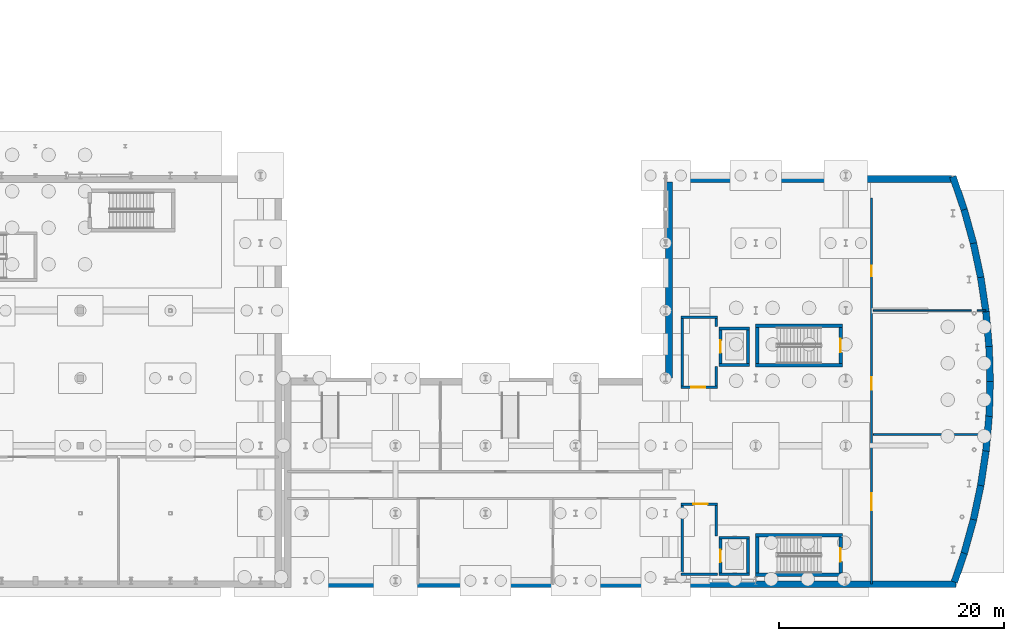
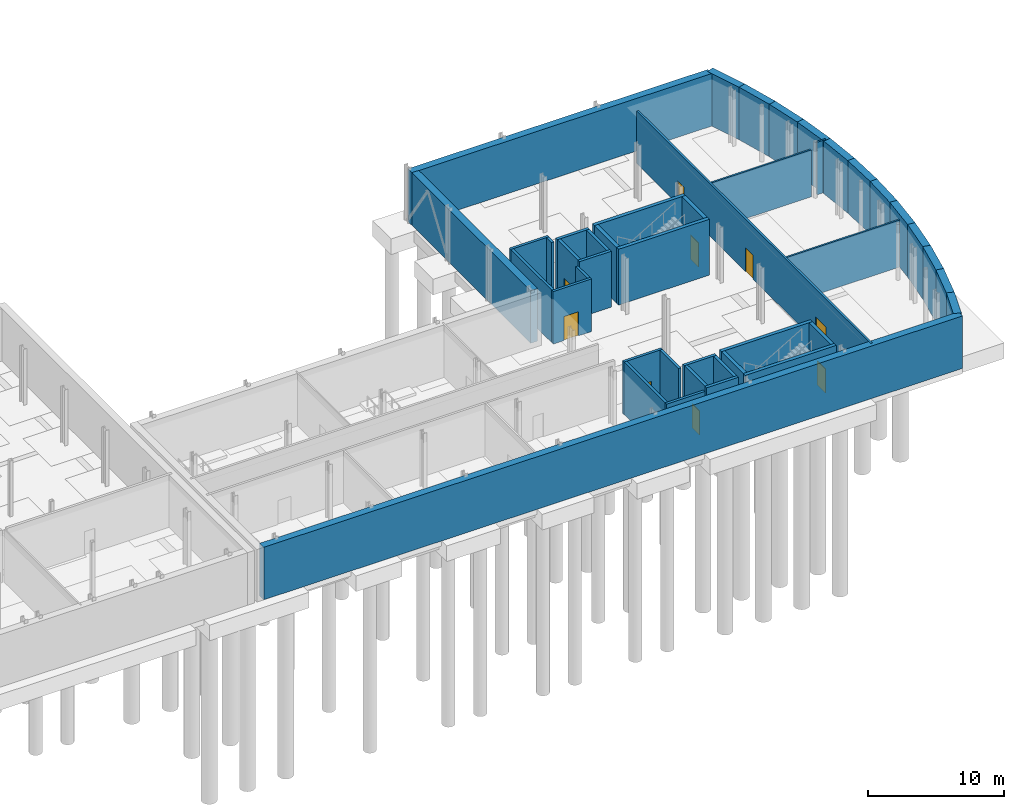
# One storey, part 29 of 47: 44 walls, 9 doors, 9 openings.
"""IFC4 building model written with IfcOpenShell, lengths in metres."""

from ifc_helpers import new_model, si_unit, direction, frame, frame_2d, origin, place, context, subcontext, project, spatial, rectangle, extrude, material, layer, layer_set, type_object, element, fill, save


model = new_model("IFC4")

# Units and contexts
model_context = context("Model", 3, precision=1e-05, world=origin(), true_north=direction((0.0, 1.0)))
body_context = subcontext(model_context, "Body", "Model", "MODEL_VIEW")
ifc_project = project(units=[si_unit("LENGTHUNIT", "METRE"), si_unit("AREAUNIT", "SQUARE_METRE"), si_unit("VOLUMEUNIT", "CUBIC_METRE"), si_unit("PLANEANGLEUNIT", "RADIAN"), si_unit("MASSUNIT", "GRAM", prefix="KILO")], contexts=[model_context])

# Site, building, storey
site_placement = place(None, origin())
site = spatial("IfcSite", under=ifc_project, at=site_placement, CompositionType="ELEMENT")
building_placement = place(site_placement, origin())
building = spatial("IfcBuilding", under=site, at=building_placement, Name="Cymarion Research Institute", CompositionType="ELEMENT")
storey_placement = place(building_placement, frame((0.0, 0.0, -5.0)))
storey = spatial("IfcBuildingStorey", under=building, at=storey_placement, Name="B1", CompositionType="ELEMENT", Elevation=-5.0)

# Walls
ifc_material_1 = material(Name="Concrete C35/45", Category="concrete")
ifc_layer_1 = layer(ifc_material_1, 0.60009765625)
ifc_layer_set_1 = layer_set([ifc_layer_1], Name="Concrete C35/45")
wall_type_1 = type_object("IfcWallType", Name="EXTERIOR WALL EW-RET600 600MM", PredefinedType="SHEAR", material=ifc_layer_set_1)
wall_1_placement = place(storey_placement, frame((105.281982421875, 5.199951171875, 0.0), z_axis=(0.0, 0.0, 1.0), x_axis=(1.0, 0.0, 0.0)))
element("IfcWall", 1, at=wall_1_placement, inside=storey, type_object=wall_type_1, Name="B1 V1 exterior wall EW-RET600 #1", PredefinedType="SHEAR", context=body_context, shape_type="SweptSolid", body=[
    extrude(rectangle(XDim=59.117919921875, YDim=0.60009765625, at=frame_2d((29.55908203125, 0.0))), origin(), (0.0, 0.0, 1.0), 4.699951171875),
])
wall_2_placement = place(storey_placement, frame((164.249267578125, 5.385986328125, 0.0), z_axis=(0.0, 0.0, 1.0), x_axis=(0.323717444321, 0.946153801579, 0.0)))
element("IfcWall", 2, at=wall_2_placement, inside=storey, type_object=wall_type_1, Name="B1 V1 exterior wall EW-RET600 #2", PredefinedType="SHEAR", context=body_context, shape_type="SweptSolid", body=[
    extrude(rectangle(XDim=2.705322265625, YDim=0.60009765625, at=frame_2d((1.3525390625, 0.0))), origin(), (0.0, 0.0, 1.0), 4.699951171875),
])
wall_3_placement = place(storey_placement, frame((165.116455078125, 7.9169921875, 0.0), z_axis=(0.0, 0.0, 1.0), x_axis=(0.26646418476, 0.963844820622, 0.0)))
element("IfcWall", 3, at=wall_3_placement, inside=storey, type_object=wall_type_1, Name="B1 V1 exterior wall EW-RET600 #3", PredefinedType="SHEAR", context=body_context, shape_type="SweptSolid", body=[
    extrude(rectangle(XDim=3.1279296875, YDim=0.60009765625, at=frame_2d((1.56396484375, 0.0))), origin(), (0.0, 0.0, 1.0), 4.699951171875),
])
wall_4_placement = place(storey_placement, frame((165.943359375, 10.90283203125, 0.0), z_axis=(0.0, 0.0, 1.0), x_axis=(0.208212486116, 0.978083616377, 0.0)))
element("IfcWall", 4, at=wall_4_placement, inside=storey, type_object=wall_type_1, Name="B1 V1 exterior wall EW-RET600 #4", PredefinedType="SHEAR", context=body_context, shape_type="SweptSolid", body=[
    extrude(rectangle(XDim=3.12841796875, YDim=0.60009765625, at=frame_2d((1.564208984375, 0.0))), origin(), (0.0, 0.0, 1.0), 4.699951171875),
])
wall_5_placement = place(storey_placement, frame((166.589599609375, 13.93310546875, 0.0), z_axis=(0.0, 0.0, 1.0), x_axis=(0.149305964746, 0.988791044099, 0.0)))
element("IfcWall", 5, at=wall_5_placement, inside=storey, type_object=wall_type_1, Name="B1 V1 exterior wall EW-RET600 #5", PredefinedType="SHEAR", context=body_context, shape_type="SweptSolid", body=[
    extrude(rectangle(XDim=3.128173828125, YDim=0.60009765625, at=frame_2d((1.56396484375, 0.0))), origin(), (0.0, 0.0, 1.0), 4.699951171875),
])
for number, where, z_axis, x_axis, name in (
    (6, (167.053466796875, 16.996337890625, 0.0), (0.0, 0.0, 1.0), (0.089747627339, 0.995964539222, 0.0), "B1 V1 exterior wall EW-RET600 #6"),
    (7, (167.3330078125, 20.08203125, 0.0), (0.0, 0.0, 1.0), (0.029889824747, 0.999553199373, 0.0), "B1 V1 exterior wall EW-RET600 #7"),
    (8, (167.427001953125, 23.178955078125, 0.0), (0.0, 0.0, 1.0), (-0.02996779607, 0.999550864738, 0.0), "B1 V1 exterior wall EW-RET600 #8"),
    (9, (167.33544921875, 26.27587890625, 0.0), (0.0, 0.0, 1.0), (-0.089825039346, 0.995957560495, 0.0), "B1 V1 exterior wall EW-RET600 #9"),
    (10, (167.05859375, 29.36181640625, 0.0), (0.0, 0.0, 1.0), (-0.1492944432, 0.988792783767, 0.0), "B1 V1 exterior wall EW-RET600 #10"),
):
    element("IfcWall", number, at=place(storey_placement, frame(where, z_axis=z_axis, x_axis=x_axis)), inside=storey, type_object=wall_type_1, Name=name, PredefinedType="SHEAR", context=body_context, shape_type="SweptSolid", body=[
        extrude(rectangle(XDim=3.12841796875, YDim=0.60009765625, at=frame_2d((1.564208984375, 0.0))), origin(), (0.0, 0.0, 1.0), 4.699951171875),
    ])
wall_6_placement = place(storey_placement, frame((166.59716796875, 32.42578125, 0.0), z_axis=(0.0, 0.0, 1.0), x_axis=(-0.208228380222, 0.978080232737, 0.0)))
element("IfcWall", 11, at=wall_6_placement, inside=storey, type_object=wall_type_1, Name="B1 V1 exterior wall EW-RET600 #11", PredefinedType="SHEAR", context=body_context, shape_type="SweptSolid", body=[
    extrude(rectangle(XDim=3.128173828125, YDim=0.60009765625, at=frame_2d((1.56396484375, 0.0))), origin(), (0.0, 0.0, 1.0), 4.699951171875),
])
wall_7_placement = place(storey_placement, frame((165.953125, 35.456298828125, 0.0), z_axis=(0.0, 0.0, 1.0), x_axis=(-0.266424099155, 0.963855901776, 0.0)))
element("IfcWall", 12, at=wall_7_placement, inside=storey, type_object=wall_type_1, Name="B1 V1 exterior wall EW-RET600 #12", PredefinedType="SHEAR", context=body_context, shape_type="SweptSolid", body=[
    extrude(rectangle(XDim=3.12841796875, YDim=0.60009765625, at=frame_2d((1.564208984375, 0.0))), origin(), (0.0, 0.0, 1.0), 4.699951171875),
])
wall_8_placement = place(storey_placement, frame((165.12890625, 38.443115234375, 0.0), z_axis=(0.0, 0.0, 1.0), x_axis=(-0.323733644852, 0.946148258568, 0.0)))
element("IfcWall", 13, at=wall_8_placement, inside=storey, type_object=wall_type_1, Name="B1 V1 exterior wall EW-RET600 #13", PredefinedType="SHEAR", context=body_context, shape_type="SweptSolid", body=[
    extrude(rectangle(XDim=3.128173828125, YDim=0.60009765625, at=frame_2d((1.56396484375, 0.0))), origin(), (0.0, 0.0, 1.0), 4.699951171875),
])
wall_9_placement = place(storey_placement, frame((163.989013671875, 41.199951171875, 0.0), z_axis=(0.0, 0.0, 1.0), x_axis=(-1.0, 0.0, 0.0)))
element("IfcWall", 14, at=wall_9_placement, inside=storey, type_object=wall_type_1, Name="B1 V1 exterior wall EW-RET600 #14", PredefinedType="SHEAR", context=body_context, shape_type="SweptSolid", body=[
    extrude(rectangle(XDim=25.388916015625, YDim=0.60009765625, at=frame_2d((12.6943359375, 0.0))), origin(), (0.0, 0.0, 1.0), 4.699951171875),
])
wall_10_placement = place(storey_placement, frame((138.89990234375, 40.91796875, 0.0), z_axis=(0.0, 0.0, 1.0), x_axis=(0.0, -1.0, 0.0)))
element("IfcWall", 15, at=wall_10_placement, inside=storey, type_object=wall_type_1, Name="B1 V1 exterior wall EW-RET600 #15", PredefinedType="SHEAR", context=body_context, shape_type="SweptSolid", body=[
    extrude(rectangle(XDim=17.41796875, YDim=0.60009765625, at=frame_2d((8.708984375, 0.0))), origin(), (0.0, 0.0, 1.0), 4.699951171875),
])
ifc_material_2 = material(Name="Gypsum acoustic double-stud partition", Category="gypsum")
ifc_layer_2 = layer(ifc_material_2, 0.14990234375)
ifc_layer_set_2 = layer_set([ifc_layer_2], Name="Gypsum acoustic double-stud partition")
wall_type_2 = type_object("IfcWallType", Name="INTERIOR PARTITION IW-AC150 150MM", PredefinedType="PARTITIONING", material=ifc_layer_set_2)
wall_11_placement = place(storey_placement, frame((157.050048828125, 18.5, 0.0), z_axis=(0.0, 0.0, 1.0), x_axis=(1.0, 0.0, 0.0)))
element("IfcWall", 16, at=wall_11_placement, inside=storey, type_object=wall_type_2, Name="B1 V1 interior partition IW-AC150 #8", PredefinedType="PARTITIONING", context=body_context, shape_type="SweptSolid", body=[
    extrude(rectangle(XDim=10.134033203125, YDim=0.14990234375, at=frame_2d((5.06689453125, 0.0))), origin(), (0.0, 0.0, 1.0), 4.199951171875),
])
wall_12_placement = place(storey_placement, frame((157.050048828125, 29.5, 0.0), z_axis=(0.0, 0.0, 1.0), x_axis=(1.0, 0.0, 0.0)))
element("IfcWall", 17, at=wall_12_placement, inside=storey, type_object=wall_type_2, Name="B1 V1 interior partition IW-AC150 #9", PredefinedType="PARTITIONING", context=body_context, shape_type="SweptSolid", body=[
    extrude(rectangle(XDim=8.712890625, YDim=0.14990234375, at=frame_2d((4.3564453125, 0.0))), origin(), (0.0, 0.0, 1.0), 4.199951171875),
])
wall_13_placement = place(storey_placement, frame((166.262939453125, 29.5, 0.0), z_axis=(0.0, 0.0, 1.0), x_axis=(1.0, 0.0, 0.0)))
element("IfcWall", 18, at=wall_13_placement, inside=storey, type_object=wall_type_2, Name="B1 V1 interior partition IW-AC150 #10", PredefinedType="PARTITIONING", context=body_context, shape_type="SweptSolid", body=[
    extrude(rectangle(XDim=0.769775390625, YDim=0.14990234375, at=frame_2d((0.384765625, 0.0))), origin(), (0.0, 0.0, 1.0), 4.699951171875),
])

# Wall, openings, doors
ifc_material_3 = material(Name="Moisture-resistant laboratory partition", Category="gypsum")
ifc_layer_3 = layer(ifc_material_3, 0.179931640625)
ifc_layer_set_3 = layer_set([ifc_layer_3], Name="Moisture-resistant laboratory partition")
wall_type_3 = type_object("IfcWallType", Name="INTERIOR PARTITION IW-LB180 180MM", PredefinedType="PARTITIONING", material=ifc_layer_set_3)
wall_14_placement = place(storey_placement, frame((156.89990234375, 5.205078125, 0.0), z_axis=(0.0, 0.0, 1.0), x_axis=(0.0, 1.0, 0.0)))
wall_14 = element("IfcWall", 19, at=wall_14_placement, inside=storey, type_object=wall_type_3, Name="B1 V1 interior partition IW-LB180 #7", PredefinedType="PARTITIONING", context=body_context, shape_type="SweptSolid", body=[
    extrude(rectangle(XDim=34.294921875, YDim=0.179931640625, at=frame_2d((17.1474609375, 0.0))), origin(), (0.0, 0.0, 1.0), 4.699951171875),
])
opening_1_placement = place(wall_14_placement, frame((6.55908203125, 0.0, 0.0)))
opening_1 = element("IfcOpeningElement", 20, at=opening_1_placement, cuts=wall_14, Name="Opening D-B1-011", PredefinedType="OPENING", context=body_context, shape_type="SweptSolid", body=[
    extrude(rectangle(XDim=1.5, YDim=2.199951171875, at=frame_2d((0.75, 1.10009765625))), frame((0.0, 0.099853515625, 0.0), z_axis=(0.0, -1.0, 0.0), x_axis=(1.0, 0.0, 0.0)), (0.0, 0.0, 1.0), 0.199951171875),
])
opening_2_placement = place(wall_14_placement, frame((17.260986328125, 0.0, 0.0)))
opening_2 = element("IfcOpeningElement", 21, at=opening_2_placement, cuts=wall_14, Name="Opening D-B1-012", PredefinedType="OPENING", context=body_context, shape_type="SweptSolid", body=[
    extrude(rectangle(XDim=1.10009765625, YDim=2.14990234375, at=frame_2d((0.550048828125, 1.074951171875))), frame((0.0, 0.099853515625, 0.0), z_axis=(0.0, -1.0, 0.0), x_axis=(1.0, 0.0, 0.0)), (0.0, 0.0, 1.0), 0.199951171875),
])
opening_3_placement = place(wall_14_placement, frame((27.343017578125, 0.0, 0.0)))
opening_3 = element("IfcOpeningElement", 22, at=opening_3_placement, cuts=wall_14, Name="Opening D-B1-013", PredefinedType="OPENING", context=body_context, shape_type="SweptSolid", body=[
    extrude(rectangle(XDim=0.949951171875, YDim=2.10009765625, at=frame_2d((0.47509765625, 1.050048828125))), frame((0.0, 0.099853515625, 0.0), z_axis=(0.0, -1.0, 0.0), x_axis=(1.0, 0.0, 0.0)), (0.0, 0.0, 1.0), 0.199951171875),
])
ifc_material_4 = material(Name="Flush acoustic timber/steel door assembly", Category="steel")
door_type_1 = type_object("IfcDoorType", Name="FACULTY STUDY DOOR DT-OF095 950X2100", OperationType="NOTDEFINED", PredefinedType="DOOR", material=ifc_material_4)
door_1_placement = place(opening_3_placement, origin())
door_1 = element("IfcDoor", 23, at=door_1_placement, inside=storey, type_object=door_type_1, Name="B1 Prow Seminar door D-B1-013", OperationType="SINGLE_SWING_RIGHT", OverallHeight=2.10009765625, OverallWidth=0.949951171875, PredefinedType="DOOR", context=body_context, shape_type="SweptSolid", body=[
    extrude(rectangle(XDim=0.949951171875, YDim=2.10009765625, at=frame_2d((0.47509765625, 1.050048828125))), frame((0.0, 0.02490234375, 0.0), z_axis=(0.0, -1.0, 0.0), x_axis=(1.0, 0.0, 0.0)), (0.0, 0.0, 1.0), 0.050048828125),
])
fill(opening_3, door_1)
door_type_2 = type_object("IfcDoorType", Name="LABORATORY EQUIPMENT DOUBLE DOOR DT-LB150 1500X2200", OperationType="DOUBLE_DOOR_SINGLE_SWING", PredefinedType="DOOR", material=ifc_material_4)
door_2_placement = place(opening_1_placement, origin())
door_2 = element("IfcDoor", 24, at=door_2_placement, inside=storey, type_object=door_type_2, Name="B1 Prow Lab 1 door D-B1-011", OperationType="DOUBLE_DOOR_SINGLE_SWING", OverallHeight=2.199951171875, OverallWidth=1.5, PredefinedType="DOOR", context=body_context, shape_type="SweptSolid", body=[
    extrude(rectangle(XDim=1.5, YDim=2.199951171875, at=frame_2d((0.75, 1.10009765625))), frame((0.0, 0.02490234375, 0.0), z_axis=(0.0, -1.0, 0.0), x_axis=(1.0, 0.0, 0.0)), (0.0, 0.0, 1.0), 0.050048828125),
])
fill(opening_1, door_2)
door_type_3 = type_object("IfcDoorType", Name="LABORATORY WIDE SINGLE DOOR DT-LB110 1100X2150", OperationType="NOTDEFINED", PredefinedType="DOOR", material=ifc_material_4)
door_3_placement = place(opening_2_placement, origin())
door_3 = element("IfcDoor", 25, at=door_3_placement, inside=storey, type_object=door_type_3, Name="B1 Prow Lab 2 door D-B1-012", OperationType="SINGLE_SWING_LEFT", OverallHeight=2.14990234375, OverallWidth=1.10009765625, PredefinedType="DOOR", context=body_context, shape_type="SweptSolid", body=[
    extrude(rectangle(XDim=1.10009765625, YDim=2.14990234375, at=frame_2d((0.550048828125, 1.074951171875))), frame((0.0, 0.02490234375, 0.0), z_axis=(0.0, -1.0, 0.0), x_axis=(1.0, 0.0, 0.0)), (0.0, 0.0, 1.0), 0.050048828125),
])
fill(opening_2, door_3)

# Wall
ifc_material_5 = material(Name="Concrete C40/50", Category="concrete")
ifc_layer_4 = layer(ifc_material_5, 0.219970703125)
ifc_layer_set_4 = layer_set([ifc_layer_4], Name="Concrete C40/50")
wall_type_4 = type_object("IfcWallType", Name="REINFORCED CONCRETE CORE WALL CW-FF220 220MM", PredefinedType="SOLIDWALL", material=ifc_layer_set_4)
wall_15_placement = place(storey_placement, frame((139.97998046875, 6.090087890625, 0.0), z_axis=(0.0, 0.0, 1.0), x_axis=(1.0, 0.0, 0.0)))
element("IfcWall", 26, at=wall_15_placement, inside=storey, type_object=wall_type_4, Name="B1 FFL-LF1-B1 south core wall", PredefinedType="SOLIDWALL", context=body_context, shape_type="SweptSolid", body=[
    extrude(rectangle(XDim=3.239990234375, YDim=0.219970703125, at=frame_2d((1.6201171875, 0.0))), origin(), (0.0, 0.0, 1.0), 4.699951171875),
])

# Wall, opening, door
wall_16_placement = place(storey_placement, frame((143.219970703125, 12.31005859375, 0.0), z_axis=(0.0, 0.0, 1.0), x_axis=(-1.0, 0.0, 0.0)))
wall_16 = element("IfcWall", 27, at=wall_16_placement, inside=storey, type_object=wall_type_4, Name="B1 FFL-LF1-B1 north core wall", PredefinedType="SOLIDWALL", context=body_context, shape_type="SweptSolid", body=[
    extrude(rectangle(XDim=3.239990234375, YDim=0.219970703125, at=frame_2d((1.6201171875, 0.0))), origin(), (0.0, 0.0, 1.0), 4.699951171875),
])
opening_4_placement = place(wall_16_placement, frame((0.89990234375, 0.0, 0.0)))
opening_4 = element("IfcOpeningElement", 28, at=opening_4_placement, cuts=wall_16, Name="Opening FD-FFL-LF1-B1", PredefinedType="OPENING", context=body_context, shape_type="SweptSolid", body=[
    extrude(rectangle(XDim=1.25, YDim=2.14990234375, at=frame_2d((0.625, 1.074951171875))), frame((0.0, 0.119873046875, 0.0), z_axis=(0.0, -1.0, 0.0), x_axis=(1.0, 0.0, 0.0)), (0.0, 0.0, 1.0), 0.239990234375),
])
ifc_material_6 = material(Name="Fire-rated insulated steel door assembly", Category="steel")
door_type_4 = type_object("IfcDoorType", Name="FIREFIGHTING LOBBY DOOR DT-FF125 1250X2150", OperationType="NOTDEFINED", PredefinedType="DOOR", material=ifc_material_6)
door_4_placement = place(opening_4_placement, frame((1.25, 0.0, 0.0), z_axis=(0.0, 0.0, 1.0), x_axis=(-1.0, 0.0, 0.0)))
door_4 = element("IfcDoor", 29, at=door_4_placement, inside=storey, type_object=door_type_4, Name="B1 Firefighting lobby door FD-FFL-LF1-B1", OperationType="SINGLE_SWING_LEFT", OverallHeight=2.14990234375, OverallWidth=1.25, PredefinedType="DOOR", context=body_context, shape_type="SweptSolid", body=[
    extrude(rectangle(XDim=1.25, YDim=2.14990234375, at=frame_2d((0.625, 1.074951171875))), frame((0.0, 0.02490234375, 0.0), z_axis=(0.0, -1.0, 0.0), x_axis=(1.0, 0.0, 0.0)), (0.0, 0.0, 1.0), 0.050048828125),
])
fill(opening_4, door_4)

# Walls
wall_17_placement = place(storey_placement, frame((140.090087890625, 12.199951171875, 0.0), z_axis=(0.0, 0.0, 1.0), x_axis=(0.0, -1.0, 0.0)))
element("IfcWall", 30, at=wall_17_placement, inside=storey, type_object=wall_type_4, Name="B1 FFL-LF1-B1 west core wall", PredefinedType="SOLIDWALL", context=body_context, shape_type="SweptSolid", body=[
    extrude(rectangle(XDim=6.0, YDim=0.219970703125, at=frame_2d((3.0, 0.0))), origin(), (0.0, 0.0, 1.0), 4.699951171875),
])
wall_18_placement = place(storey_placement, frame((143.110107421875, 9.47998046875, 0.0), z_axis=(0.0, 0.0, 1.0), x_axis=(0.0, 1.0, 0.0)))
element("IfcWall", 31, at=wall_18_placement, inside=storey, type_object=wall_type_4, Name="Core C1 firefighting lobby east closure wall B1", PredefinedType="SOLIDWALL", context=body_context, shape_type="SweptSolid", body=[
    extrude(rectangle(XDim=2.719970703125, YDim=0.219970703125, at=frame_2d((1.35986328125, 0.0))), origin(), (0.0, 0.0, 1.0), 4.699951171875),
])

# Wall, opening, door
wall_19_placement = place(storey_placement, frame((139.97998046875, 22.68994140625, 0.0), z_axis=(0.0, 0.0, 1.0), x_axis=(1.0, 0.0, 0.0)))
wall_19 = element("IfcWall", 32, at=wall_19_placement, inside=storey, type_object=wall_type_4, Name="B1 FFL-LF2-B1 south core wall", PredefinedType="SOLIDWALL", context=body_context, shape_type="SweptSolid", body=[
    extrude(rectangle(XDim=3.239990234375, YDim=0.219970703125, at=frame_2d((1.6201171875, 0.0))), origin(), (0.0, 0.0, 1.0), 4.699951171875),
])
opening_5_placement = place(wall_19_placement, frame((0.89990234375, 0.0, 0.0)))
opening_5 = element("IfcOpeningElement", 33, at=opening_5_placement, cuts=wall_19, Name="Opening FD-FFL-LF2-B1", PredefinedType="OPENING", context=body_context, shape_type="SweptSolid", body=[
    extrude(rectangle(XDim=1.25, YDim=2.14990234375, at=frame_2d((0.625, 1.074951171875))), frame((0.0, 0.119873046875, 0.0), z_axis=(0.0, -1.0, 0.0), x_axis=(1.0, 0.0, 0.0)), (0.0, 0.0, 1.0), 0.239990234375),
])
door_5_placement = place(opening_5_placement, frame((1.25, 0.0, 0.0), z_axis=(0.0, 0.0, 1.0), x_axis=(-1.0, 0.0, 0.0)))
door_5 = element("IfcDoor", 34, at=door_5_placement, inside=storey, type_object=door_type_4, Name="B1 Firefighting lobby door FD-FFL-LF2-B1", OperationType="SINGLE_SWING_LEFT", OverallHeight=2.14990234375, OverallWidth=1.25, PredefinedType="DOOR", context=body_context, shape_type="SweptSolid", body=[
    extrude(rectangle(XDim=1.25, YDim=2.14990234375, at=frame_2d((0.625, 1.074951171875))), frame((0.0, 0.02490234375, 0.0), z_axis=(0.0, -1.0, 0.0), x_axis=(1.0, 0.0, 0.0)), (0.0, 0.0, 1.0), 0.050048828125),
])
fill(opening_5, door_5)

# Walls
wall_20_placement = place(storey_placement, frame((143.219970703125, 28.909912109375, 0.0), z_axis=(0.0, 0.0, 1.0), x_axis=(-1.0, 0.0, 0.0)))
element("IfcWall", 35, at=wall_20_placement, inside=storey, type_object=wall_type_4, Name="B1 FFL-LF2-B1 north core wall", PredefinedType="SOLIDWALL", context=body_context, shape_type="SweptSolid", body=[
    extrude(rectangle(XDim=3.239990234375, YDim=0.219970703125, at=frame_2d((1.6201171875, 0.0))), origin(), (0.0, 0.0, 1.0), 4.699951171875),
])
wall_21_placement = place(storey_placement, frame((140.090087890625, 28.800048828125, 0.0), z_axis=(0.0, 0.0, 1.0), x_axis=(0.0, -1.0, 0.0)))
element("IfcWall", 36, at=wall_21_placement, inside=storey, type_object=wall_type_4, Name="B1 FFL-LF2-B1 west core wall", PredefinedType="SOLIDWALL", context=body_context, shape_type="SweptSolid", body=[
    extrude(rectangle(XDim=6.0, YDim=0.219970703125, at=frame_2d((3.0, 0.0))), origin(), (0.0, 0.0, 1.0), 4.699951171875),
])
wall_22_placement = place(storey_placement, frame((143.110107421875, 22.800048828125, 0.0), z_axis=(0.0, 0.0, 1.0), x_axis=(0.0, 1.0, 0.0)))
element("IfcWall", 37, at=wall_22_placement, inside=storey, type_object=wall_type_4, Name="Core C2 firefighting lobby east closure wall B1 #1", PredefinedType="SOLIDWALL", context=body_context, shape_type="SweptSolid", body=[
    extrude(rectangle(XDim=1.719970703125, YDim=0.219970703125, at=frame_2d((0.85986328125, 0.0))), origin(), (0.0, 0.0, 1.0), 4.699951171875),
])
wall_23_placement = place(storey_placement, frame((143.110107421875, 28.080078125, 0.0), z_axis=(0.0, 0.0, 1.0), x_axis=(0.0, 1.0, 0.0)))
element("IfcWall", 38, at=wall_23_placement, inside=storey, type_object=wall_type_4, Name="Core C2 firefighting lobby east closure wall B1 #2", PredefinedType="SOLIDWALL", context=body_context, shape_type="SweptSolid", body=[
    extrude(rectangle(XDim=0.719970703125, YDim=0.219970703125, at=frame_2d((0.35986328125, 0.0))), origin(), (0.0, 0.0, 1.0), 4.699951171875),
])
ifc_layer_5 = layer(ifc_material_5, 0.25)
ifc_layer_set_5 = layer_set([ifc_layer_5], Name="Concrete C40/50")
wall_type_5 = type_object("IfcWallType", Name="REINFORCED CONCRETE CORE WALL CW-SH250 250MM", PredefinedType="SHEAR", material=ifc_layer_set_5)
for number, where, z_axis, x_axis, name in (
    (39, (143.35009765625, 6.074951171875, 0.0), (0.0, 0.0, 1.0), (1.0, 0.0, 0.0), "B1 LSH-LF1-B1 south core wall"),
    (40, (146.050048828125, 9.324951171875, 0.0), (0.0, 0.0, 1.0), (-1.0, 0.0, 0.0), "B1 LSH-LF1-B1 north core wall"),
):
    element("IfcWall", number, at=place(storey_placement, frame(where, z_axis=z_axis, x_axis=x_axis)), inside=storey, type_object=wall_type_5, Name=name, PredefinedType="SHEAR", context=body_context, shape_type="SweptSolid", body=[
        extrude(rectangle(XDim=2.699951171875, YDim=0.25, at=frame_2d((1.35009765625, 0.0))), origin(), (0.0, 0.0, 1.0), 5.0),
    ])

# Wall, opening, door
wall_24_placement = place(storey_placement, frame((143.47509765625, 9.199951171875, 0.0), z_axis=(0.0, 0.0, 1.0), x_axis=(0.0, -1.0, 0.0)))
wall_24 = element("IfcWall", 41, at=wall_24_placement, inside=storey, type_object=wall_type_5, Name="B1 LSH-LF1-B1 west core wall", PredefinedType="SHEAR", context=body_context, shape_type="SweptSolid", body=[
    extrude(rectangle(XDim=3.0, YDim=0.25, at=frame_2d((1.5, 0.0))), origin(), (0.0, 0.0, 1.0), 5.0),
])
opening_6_placement = place(wall_24_placement, frame((0.949951171875, 0.0, 0.0)))
opening_6 = element("IfcOpeningElement", 42, at=opening_6_placement, cuts=wall_24, Name="Opening LD-LF1-B1", PredefinedType="OPENING", context=body_context, shape_type="SweptSolid", body=[
    extrude(rectangle(XDim=1.10009765625, YDim=2.14990234375, at=frame_2d((0.550048828125, 1.074951171875))), frame((0.0, 0.135009765625, 0.0), z_axis=(0.0, -1.0, 0.0), x_axis=(1.0, 0.0, 0.0)), (0.0, 0.0, 1.0), 0.27001953125),
])
door_type_5 = type_object("IfcDoorType", Name="SLIDING LIFT LANDING DOOR DT-LD110 1100X2150", OperationType="DOUBLE_DOOR_SLIDING", PredefinedType="DOOR", material=ifc_material_6)
door_6_placement = place(opening_6_placement, origin())
door_6 = element("IfcDoor", 43, at=door_6_placement, inside=storey, type_object=door_type_5, Name="Lift LF1 landing door B1", OperationType="DOUBLE_DOOR_SLIDING", OverallHeight=2.14990234375, OverallWidth=1.10009765625, PredefinedType="DOOR", context=body_context, shape_type="SweptSolid", body=[
    extrude(rectangle(XDim=1.10009765625, YDim=2.14990234375, at=frame_2d((0.550048828125, 1.074951171875))), frame((0.0, 0.02490234375, 0.0), z_axis=(0.0, -1.0, 0.0), x_axis=(1.0, 0.0, 0.0)), (0.0, 0.0, 1.0), 0.050048828125),
])
fill(opening_6, door_6)

# Walls
wall_25_placement = place(storey_placement, frame((145.925048828125, 6.199951171875, 0.0), z_axis=(0.0, 0.0, 1.0), x_axis=(0.0, 1.0, 0.0)))
element("IfcWall", 44, at=wall_25_placement, inside=storey, type_object=wall_type_5, Name="B1 LSH-LF1-B1 east core wall", PredefinedType="SHEAR", context=body_context, shape_type="SweptSolid", body=[
    extrude(rectangle(XDim=3.0, YDim=0.25, at=frame_2d((1.5, 0.0))), origin(), (0.0, 0.0, 1.0), 5.0),
])
for number, where, z_axis, x_axis, name in (
    (45, (143.35009765625, 24.675048828125, 0.0), (0.0, 0.0, 1.0), (1.0, 0.0, 0.0), "B1 LSH-LF2-B1 south core wall"),
    (46, (146.050048828125, 27.925048828125, 0.0), (0.0, 0.0, 1.0), (-1.0, 0.0, 0.0), "B1 LSH-LF2-B1 north core wall"),
):
    element("IfcWall", number, at=place(storey_placement, frame(where, z_axis=z_axis, x_axis=x_axis)), inside=storey, type_object=wall_type_5, Name=name, PredefinedType="SHEAR", context=body_context, shape_type="SweptSolid", body=[
        extrude(rectangle(XDim=2.699951171875, YDim=0.25, at=frame_2d((1.35009765625, 0.0))), origin(), (0.0, 0.0, 1.0), 5.0),
    ])

# Wall, opening, door
wall_26_placement = place(storey_placement, frame((143.47509765625, 27.800048828125, 0.0), z_axis=(0.0, 0.0, 1.0), x_axis=(0.0, -1.0, 0.0)))
wall_26 = element("IfcWall", 47, at=wall_26_placement, inside=storey, type_object=wall_type_5, Name="B1 LSH-LF2-B1 west core wall", PredefinedType="SHEAR", context=body_context, shape_type="SweptSolid", body=[
    extrude(rectangle(XDim=3.0, YDim=0.25, at=frame_2d((1.5, 0.0))), origin(), (0.0, 0.0, 1.0), 5.0),
])
opening_7_placement = place(wall_26_placement, frame((0.949951171875, 0.0, 0.0)))
opening_7 = element("IfcOpeningElement", 48, at=opening_7_placement, cuts=wall_26, Name="Opening LD-LF2-B1", PredefinedType="OPENING", context=body_context, shape_type="SweptSolid", body=[
    extrude(rectangle(XDim=1.10009765625, YDim=2.14990234375, at=frame_2d((0.550048828125, 1.074951171875))), frame((0.0, 0.135009765625, 0.0), z_axis=(0.0, -1.0, 0.0), x_axis=(1.0, 0.0, 0.0)), (0.0, 0.0, 1.0), 0.27001953125),
])
door_7_placement = place(opening_7_placement, origin())
door_7 = element("IfcDoor", 49, at=door_7_placement, inside=storey, type_object=door_type_5, Name="Lift LF2 landing door B1", OperationType="DOUBLE_DOOR_SLIDING", OverallHeight=2.14990234375, OverallWidth=1.10009765625, PredefinedType="DOOR", context=body_context, shape_type="SweptSolid", body=[
    extrude(rectangle(XDim=1.10009765625, YDim=2.14990234375, at=frame_2d((0.550048828125, 1.074951171875))), frame((0.0, 0.02490234375, 0.0), z_axis=(0.0, -1.0, 0.0), x_axis=(1.0, 0.0, 0.0)), (0.0, 0.0, 1.0), 0.050048828125),
])
fill(opening_7, door_7)

# Walls
wall_27_placement = place(storey_placement, frame((145.925048828125, 24.800048828125, 0.0), z_axis=(0.0, 0.0, 1.0), x_axis=(0.0, 1.0, 0.0)))
element("IfcWall", 50, at=wall_27_placement, inside=storey, type_object=wall_type_5, Name="B1 LSH-LF2-B1 east core wall", PredefinedType="SHEAR", context=body_context, shape_type="SweptSolid", body=[
    extrude(rectangle(XDim=3.0, YDim=0.25, at=frame_2d((1.5, 0.0))), origin(), (0.0, 0.0, 1.0), 5.0),
])
ifc_layer_6 = layer(ifc_material_5, 0.300048828125)
ifc_layer_set_6 = layer_set([ifc_layer_6], Name="Concrete C40/50")
wall_type_6 = type_object("IfcWallType", Name="REINFORCED CONCRETE CORE WALL CW-SH300 300MM", PredefinedType="SHEAR", material=ifc_layer_set_6)
for number, where, z_axis, x_axis, name in (
    (51, (146.60009765625, 6.050048828125, 0.0), (0.0, 0.0, 1.0), (1.0, 0.0, 0.0), "B1 SHW-C1-B1 south core wall"),
    (52, (154.300048828125, 9.550048828125, 0.0), (0.0, 0.0, 1.0), (-1.0, 0.0, 0.0), "B1 SHW-C1-B1 north core wall"),
):
    element("IfcWall", number, at=place(storey_placement, frame(where, z_axis=z_axis, x_axis=x_axis)), inside=storey, type_object=wall_type_6, Name=name, PredefinedType="SHEAR", context=body_context, shape_type="SweptSolid", body=[
        extrude(rectangle(XDim=7.699951171875, YDim=0.300048828125, at=frame_2d((3.85009765625, 0.0))), origin(), (0.0, 0.0, 1.0), 5.0),
    ])
wall_28_placement = place(storey_placement, frame((146.75, 9.39990234375, 0.0), z_axis=(0.0, 0.0, 1.0), x_axis=(0.0, -1.0, 0.0)))
element("IfcWall", 53, at=wall_28_placement, inside=storey, type_object=wall_type_6, Name="B1 SHW-C1-B1 west core wall", PredefinedType="SHEAR", context=body_context, shape_type="SweptSolid", body=[
    extrude(rectangle(XDim=3.199951171875, YDim=0.300048828125, at=frame_2d((1.60009765625, 0.0))), origin(), (0.0, 0.0, 1.0), 5.0),
])

# Wall, opening, door
wall_29_placement = place(storey_placement, frame((154.14990234375, 6.199951171875, 0.0), z_axis=(0.0, 0.0, 1.0), x_axis=(0.0, 1.0, 0.0)))
wall_29 = element("IfcWall", 54, at=wall_29_placement, inside=storey, type_object=wall_type_6, Name="B1 SHW-C1-B1 east core wall", PredefinedType="SHEAR", context=body_context, shape_type="SweptSolid", body=[
    extrude(rectangle(XDim=3.199951171875, YDim=0.300048828125, at=frame_2d((1.60009765625, 0.0))), origin(), (0.0, 0.0, 1.0), 5.0),
])
opening_8_placement = place(wall_29_placement, frame((1.0, 0.0, 0.0)))
opening_8 = element("IfcOpeningElement", 55, at=opening_8_placement, cuts=wall_29, Name="Opening FD-B1-ST1", PredefinedType="OPENING", context=body_context, shape_type="SweptSolid", body=[
    extrude(rectangle(XDim=1.199951171875, YDim=2.14990234375, at=frame_2d((0.60009765625, 1.074951171875))), frame((0.0, 0.159912109375, 0.0), z_axis=(0.0, -1.0, 0.0), x_axis=(1.0, 0.0, 0.0)), (0.0, 0.0, 1.0), 0.320068359375),
])
door_type_6 = type_object("IfcDoorType", Name="SMOKE PROOF STAIR FIRE DOOR DT-ST120 1200X2150", OperationType="NOTDEFINED", PredefinedType="DOOR", material=ifc_material_6)
door_8_placement = place(opening_8_placement, origin())
door_8 = element("IfcDoor", 56, at=door_8_placement, inside=storey, type_object=door_type_6, Name="B1 ST1 smoke-proof stair door FD-B1-ST1", OperationType="SINGLE_SWING_LEFT", OverallHeight=2.14990234375, OverallWidth=1.199951171875, PredefinedType="DOOR", context=body_context, shape_type="SweptSolid", body=[
    extrude(rectangle(XDim=1.199951171875, YDim=2.14990234375, at=frame_2d((0.60009765625, 1.074951171875))), frame((0.0, 0.02490234375, 0.0), z_axis=(0.0, -1.0, 0.0), x_axis=(1.0, 0.0, 0.0)), (0.0, 0.0, 1.0), 0.050048828125),
])
fill(opening_8, door_8)

# Walls
for number, where, z_axis, x_axis, name in (
    (57, (146.60009765625, 24.64990234375, 0.0), (0.0, 0.0, 1.0), (1.0, 0.0, 0.0), "B1 SHW-C2-B1 south core wall"),
    (58, (154.300048828125, 28.14990234375, 0.0), (0.0, 0.0, 1.0), (-1.0, 0.0, 0.0), "B1 SHW-C2-B1 north core wall"),
):
    element("IfcWall", number, at=place(storey_placement, frame(where, z_axis=z_axis, x_axis=x_axis)), inside=storey, type_object=wall_type_6, Name=name, PredefinedType="SHEAR", context=body_context, shape_type="SweptSolid", body=[
        extrude(rectangle(XDim=7.699951171875, YDim=0.300048828125, at=frame_2d((3.85009765625, 0.0))), origin(), (0.0, 0.0, 1.0), 5.0),
    ])
wall_30_placement = place(storey_placement, frame((146.75, 28.0, 0.0), z_axis=(0.0, 0.0, 1.0), x_axis=(0.0, -1.0, 0.0)))
element("IfcWall", 59, at=wall_30_placement, inside=storey, type_object=wall_type_6, Name="B1 SHW-C2-B1 west core wall", PredefinedType="SHEAR", context=body_context, shape_type="SweptSolid", body=[
    extrude(rectangle(XDim=3.199951171875, YDim=0.300048828125, at=frame_2d((1.60009765625, 0.0))), origin(), (0.0, 0.0, 1.0), 5.0),
])

# Wall, opening, door
wall_31_placement = place(storey_placement, frame((154.14990234375, 24.800048828125, 0.0), z_axis=(0.0, 0.0, 1.0), x_axis=(0.0, 1.0, 0.0)))
wall_31 = element("IfcWall", 60, at=wall_31_placement, inside=storey, type_object=wall_type_6, Name="B1 SHW-C2-B1 east core wall", PredefinedType="SHEAR", context=body_context, shape_type="SweptSolid", body=[
    extrude(rectangle(XDim=3.199951171875, YDim=0.300048828125, at=frame_2d((1.60009765625, 0.0))), origin(), (0.0, 0.0, 1.0), 5.0),
])
opening_9_placement = place(wall_31_placement, frame((1.0, 0.0, 0.0)))
opening_9 = element("IfcOpeningElement", 61, at=opening_9_placement, cuts=wall_31, Name="Opening FD-B1-ST2", PredefinedType="OPENING", context=body_context, shape_type="SweptSolid", body=[
    extrude(rectangle(XDim=1.199951171875, YDim=2.14990234375, at=frame_2d((0.60009765625, 1.074951171875))), frame((0.0, 0.159912109375, 0.0), z_axis=(0.0, -1.0, 0.0), x_axis=(1.0, 0.0, 0.0)), (0.0, 0.0, 1.0), 0.320068359375),
])
door_9_placement = place(opening_9_placement, origin())
door_9 = element("IfcDoor", 62, at=door_9_placement, inside=storey, type_object=door_type_6, Name="B1 ST2 smoke-proof stair door FD-B1-ST2", OperationType="SINGLE_SWING_RIGHT", OverallHeight=2.14990234375, OverallWidth=1.199951171875, PredefinedType="DOOR", context=body_context, shape_type="SweptSolid", body=[
    extrude(rectangle(XDim=1.199951171875, YDim=2.14990234375, at=frame_2d((0.60009765625, 1.074951171875))), frame((0.0, 0.02490234375, 0.0), z_axis=(0.0, -1.0, 0.0), x_axis=(1.0, 0.0, 0.0)), (0.0, 0.0, 1.0), 0.050048828125),
])
fill(opening_9, door_9)

save(model, "model.ifc")
